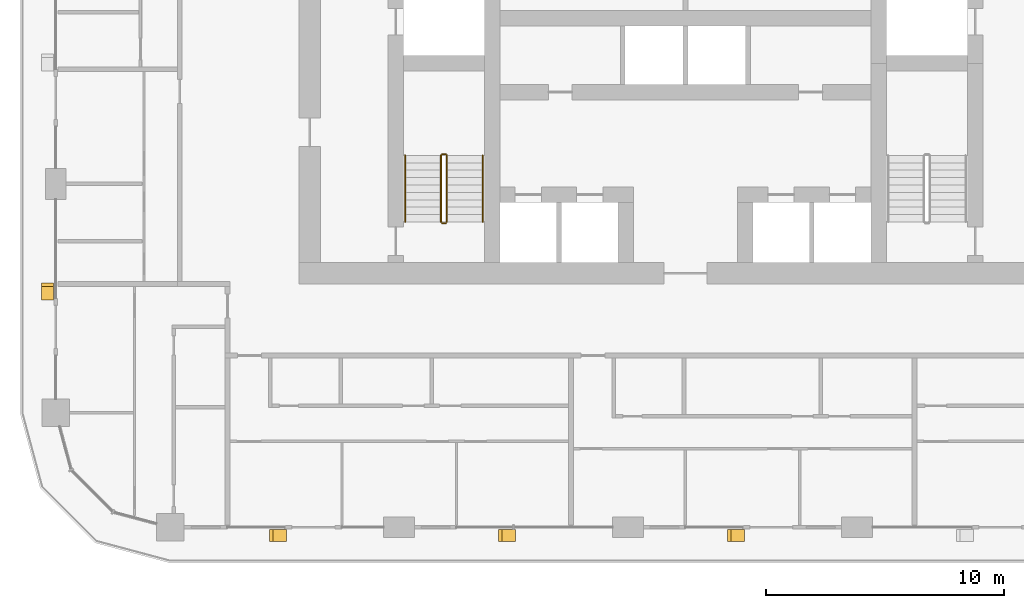
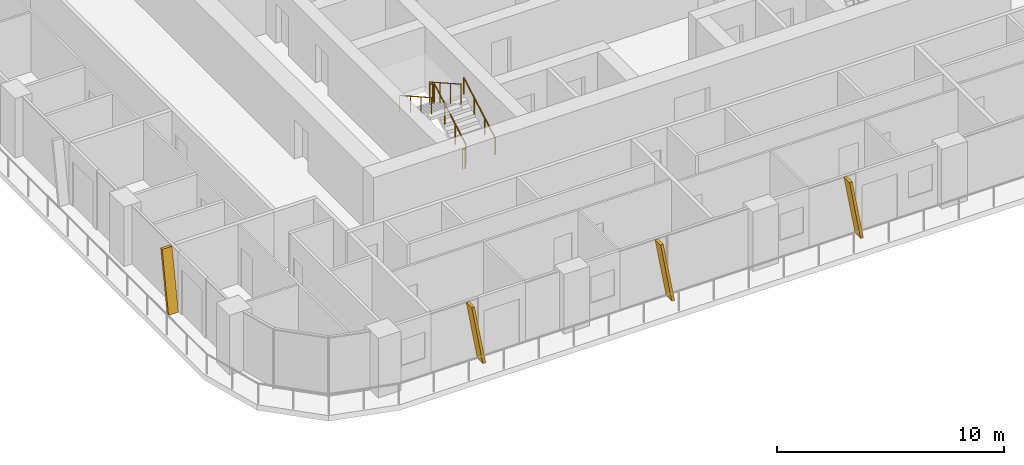
# One storey, part 16 of 21: 6 railings, 4 shading devices.
"""IFC4 building model written with IfcOpenShell, lengths in metres."""

from ifc_helpers import new_model, si_unit, direction, frame, origin, origin_2d, place, context, subcontext, project, spatial, polyline, circle, outline, extrude, material, type_object, element, save


model = new_model("IFC4")

# Units and contexts
model_context = context("Model", 3, precision=1e-05, world=origin(), true_north=direction((0.0, 1.0)))
body_context = subcontext(model_context, "Body", "Model", "MODEL_VIEW")
ifc_project = project(units=[si_unit("LENGTHUNIT", "METRE"), si_unit("AREAUNIT", "SQUARE_METRE"), si_unit("VOLUMEUNIT", "CUBIC_METRE"), si_unit("PLANEANGLEUNIT", "RADIAN"), si_unit("MASSUNIT", "GRAM", prefix="KILO")], contexts=[model_context])

# Site, building, storey
site_placement = place(None, origin())
site = spatial("IfcSite", under=ifc_project, at=site_placement, CompositionType="ELEMENT")
building_placement = place(site_placement, origin())
building = spatial("IfcBuilding", under=site, at=building_placement, Name="Madar Terraces", CompositionType="ELEMENT")
storey_placement = place(building_placement, frame((0.0, 0.0, 106.699951171875)))
storey = spatial("IfcBuildingStorey", under=building, at=storey_placement, Name="L27", CompositionType="ELEMENT", Elevation=106.699951171875)

# Shading devices
ifc_material_1 = material(Name="Aluminium, black anodised", Category="aluminium")
shading_device_type = type_object("IfcShadingDeviceType", Name="Facade fin blade 140 x 500", PredefinedType="USERDEFINED", material=ifc_material_1)
shading_device_1_placement = place(storey_placement, frame((14.330078125, 4.449951171875, 0.0), z_axis=(0.0, 0.0, 1.0), x_axis=(1.0, 0.0, 0.0)))
element("IfcShadingDevice", 1, at=shading_device_1_placement, inside=storey, type_object=shading_device_type, Name="FIN L27 S1", ObjectType="FIN", PredefinedType="USERDEFINED", context=body_context, shape_type="SweptSolid", body=[
    extrude(outline(polyline([(0.0, 0.0), (0.139892578125, 0.0), (-0.42431640625, 3.199951171875), (-0.564208984375, 3.199951171875), (0.0, 0.0)])), frame((0.0, 0.25, 0.0), z_axis=(0.0, -1.0, 0.0), x_axis=(1.0, 0.0, 0.0)), (0.0, 0.0, 1.0), 0.5),
])
shading_device_2_placement = place(storey_placement, frame((23.929931640625, 4.449951171875, 0.0), z_axis=(0.0, 0.0, 1.0), x_axis=(1.0, 0.0, 0.0)))
element("IfcShadingDevice", 2, at=shading_device_2_placement, inside=storey, type_object=shading_device_type, Name="FIN L27 S2", ObjectType="FIN", PredefinedType="USERDEFINED", context=body_context, shape_type="SweptSolid", body=[
    extrude(outline(polyline([(0.0, 0.0), (0.14013671875, 0.0), (-0.42431640625, 3.199951171875), (-0.564208984375, 3.199951171875), (0.0, 0.0)])), frame((0.0, 0.25, 0.0), z_axis=(0.0, -1.0, 0.0), x_axis=(1.0, 0.0, 0.0)), (0.0, 0.0, 1.0), 0.5),
])
for number, where, z_axis, x_axis, name in (
    (3, (33.530029296875, 4.449951171875, 0.0), (0.0, 0.0, 1.0), (1.0, 0.0, 0.0), "FIN L27 S3"),
    (4, (4.449951171875, 14.469970703125, 0.0), (0.0, 0.0, 1.0), (0.0, -1.0, 0.0), "FIN L27 W4"),
):
    element("IfcShadingDevice", number, at=place(storey_placement, frame(where, z_axis=z_axis, x_axis=x_axis)), inside=storey, type_object=shading_device_type, Name=name, ObjectType="FIN", PredefinedType="USERDEFINED", context=body_context, shape_type="SweptSolid", body=[
        extrude(outline(polyline([(0.0, 0.0), (0.139892578125, 0.0), (-0.42431640625, 3.199951171875), (-0.564208984375, 3.199951171875), (0.0, 0.0)])), frame((0.0, 0.25, 0.0), z_axis=(0.0, -1.0, 0.0), x_axis=(1.0, 0.0, 0.0)), (0.0, 0.0, 1.0), 0.5),
    ])

# Railings
ifc_material_2 = material(Name="Stainless steel railing", Category="steel")
railing_type_1 = type_object("IfcRailingType", Name="Stair guard 1100", PredefinedType="GUARDRAIL", material=ifc_material_2)
railing_1_placement = place(storey_placement, frame((21.199951171875, 17.60009765625, 0.175048828125)))
element("IfcRailing", 5, at=railing_1_placement, inside=storey, type_object=railing_type_1, Name="L27 ST1 stair guard 1", PredefinedType="GUARDRAIL", context=body_context, shape_type="SweptSolid", body=[
    extrude(circle(Radius=0.02392578125, at=origin_2d()), frame((0.0, 0.0, 1.076171875), z_axis=(0.0, 0.870815363784, 0.491610213684), x_axis=(-1.0, 0.0, 0.0)), (0.0, 0.0, 1.0), 3.20361328125),
    extrude(circle(Radius=0.02099609375, at=origin_2d()), origin(), (0.0, 0.0, 1.0), 1.052001953125),
    extrude(circle(Radius=0.02099609375, at=origin_2d()), frame((0.0, 0.929931640625, 0.52490234375)), (0.0, 0.0, 1.0), 1.052001953125),
    extrude(circle(Radius=0.02099609375, at=origin_2d()), frame((0.0, 1.85986328125, 1.050048828125)), (0.0, 0.0, 1.0), 1.052001953125),
    extrude(circle(Radius=0.02099609375, at=origin_2d()), frame((0.0, 2.789794921875, 1.574951171875)), (0.0, 0.0, 1.0), 1.052001953125),
])
railing_2_placement = place(storey_placement, frame((21.14990234375, 20.43994140625, 1.75)))
element("IfcRailing", 6, at=railing_2_placement, inside=storey, type_object=railing_type_1, Name="L27 ST1 stair guard 2", PredefinedType="GUARDRAIL", context=body_context, shape_type="SweptSolid", body=[
    extrude(circle(Radius=0.02392578125, at=origin_2d()), frame((0.0, 0.0, 1.076171875), z_axis=(-1.0, 0.0, 0.0), x_axis=(0.0, -1.0, 0.0)), (0.0, 0.0, 1.0), 0.14990234375),
    extrude(circle(Radius=0.02099609375, at=origin_2d()), origin(), (0.0, 0.0, 1.0), 1.052001953125),
    extrude(circle(Radius=0.02099609375, at=origin_2d()), frame((-0.14990234375, 0.0, 0.0)), (0.0, 0.0, 1.0), 1.052001953125),
])
railing_3_placement = place(storey_placement, frame((20.949951171875, 20.389892578125, 1.925048828125)))
element("IfcRailing", 7, at=railing_3_placement, inside=storey, type_object=railing_type_1, Name="L27 ST1 stair guard 3", PredefinedType="GUARDRAIL", context=body_context, shape_type="SweptSolid", body=[
    extrude(circle(Radius=0.02392578125, at=origin_2d()), frame((0.0, 0.0, 1.076171875), z_axis=(0.0, -0.870815363784, 0.491610213684), x_axis=(1.0, 0.0, 0.0)), (0.0, 0.0, 1.0), 3.20361328125),
    extrude(circle(Radius=0.02099609375, at=origin_2d()), origin(), (0.0, 0.0, 1.0), 1.052001953125),
    extrude(circle(Radius=0.02099609375, at=origin_2d()), frame((0.0, -0.929931640625, 0.52490234375)), (0.0, 0.0, 1.0), 1.052001953125),
    extrude(circle(Radius=0.02099609375, at=origin_2d()), frame((0.0, -1.85986328125, 1.050048828125)), (0.0, 0.0, 1.0), 1.052001953125),
    extrude(circle(Radius=0.02099609375, at=origin_2d()), frame((0.0, -2.789794921875, 1.574951171875)), (0.0, 0.0, 1.0), 1.052001953125),
])
railing_4_placement = place(storey_placement, frame((21.14990234375, 17.550048828125, 0.0)))
element("IfcRailing", 8, at=railing_4_placement, inside=storey, type_object=railing_type_1, Name="L27 ST1 stair guard 4", PredefinedType="GUARDRAIL", context=body_context, shape_type="SweptSolid", body=[
    extrude(circle(Radius=0.02392578125, at=origin_2d()), frame((0.0, 0.0, 1.076171875), z_axis=(-1.0, 0.0, 0.0), x_axis=(0.0, -1.0, 0.0)), (0.0, 0.0, 1.0), 0.14990234375),
    extrude(circle(Radius=0.02099609375, at=origin_2d()), origin(), (0.0, 0.0, 1.0), 1.052001953125),
    extrude(circle(Radius=0.02099609375, at=origin_2d()), frame((-0.14990234375, 0.0, 0.0)), (0.0, 0.0, 1.0), 1.052001953125),
])
ifc_material_3 = material(Name="Stainless steel railing", Category="steel")
railing_type_2 = type_object("IfcRailingType", Name="Stair handrail 900", PredefinedType="HANDRAIL", material=ifc_material_3)
railing_5_placement = place(storey_placement, frame((22.699951171875, 17.60009765625, 0.175048828125)))
element("IfcRailing", 9, at=railing_5_placement, inside=storey, type_object=railing_type_2, Name="L27 ST1 stair handrail 1", PredefinedType="HANDRAIL", context=body_context, shape_type="SweptSolid", body=[
    extrude(circle(Radius=0.02392578125, at=origin_2d()), frame((0.0, 0.0, 0.8759765625), z_axis=(0.0, 0.870815363784, 0.491610213684), x_axis=(-1.0, 0.0, 0.0)), (0.0, 0.0, 1.0), 3.20361328125),
    extrude(circle(Radius=0.02099609375, at=origin_2d()), origin(), (0.0, 0.0, 1.0), 0.851806640625),
    extrude(circle(Radius=0.02099609375, at=origin_2d()), frame((0.0, 0.929931640625, 0.52490234375)), (0.0, 0.0, 1.0), 0.851806640625),
    extrude(circle(Radius=0.02099609375, at=origin_2d()), frame((0.0, 1.85986328125, 1.050048828125)), (0.0, 0.0, 1.0), 0.851806640625),
    extrude(circle(Radius=0.02099609375, at=origin_2d()), frame((0.0, 2.789794921875, 1.574951171875)), (0.0, 0.0, 1.0), 0.851806640625),
])
railing_6_placement = place(storey_placement, frame((19.449951171875, 20.389892578125, 1.925048828125)))
element("IfcRailing", 10, at=railing_6_placement, inside=storey, type_object=railing_type_2, Name="L27 ST1 stair handrail 2", PredefinedType="HANDRAIL", context=body_context, shape_type="SweptSolid", body=[
    extrude(circle(Radius=0.02392578125, at=origin_2d()), frame((0.0, 0.0, 0.8759765625), z_axis=(0.0, -0.870815363784, 0.491610213684), x_axis=(1.0, 0.0, 0.0)), (0.0, 0.0, 1.0), 3.20361328125),
    extrude(circle(Radius=0.02099609375, at=origin_2d()), origin(), (0.0, 0.0, 1.0), 0.851806640625),
    extrude(circle(Radius=0.02099609375, at=origin_2d()), frame((0.0, -0.929931640625, 0.52490234375)), (0.0, 0.0, 1.0), 0.851806640625),
    extrude(circle(Radius=0.02099609375, at=origin_2d()), frame((0.0, -1.85986328125, 1.050048828125)), (0.0, 0.0, 1.0), 0.851806640625),
    extrude(circle(Radius=0.02099609375, at=origin_2d()), frame((0.0, -2.789794921875, 1.574951171875)), (0.0, 0.0, 1.0), 0.851806640625),
])

save(model, "model.ifc")
